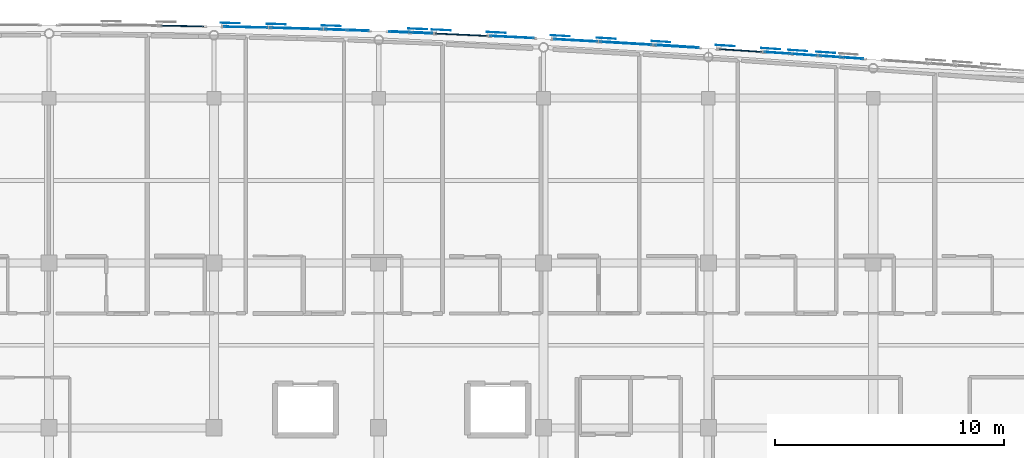
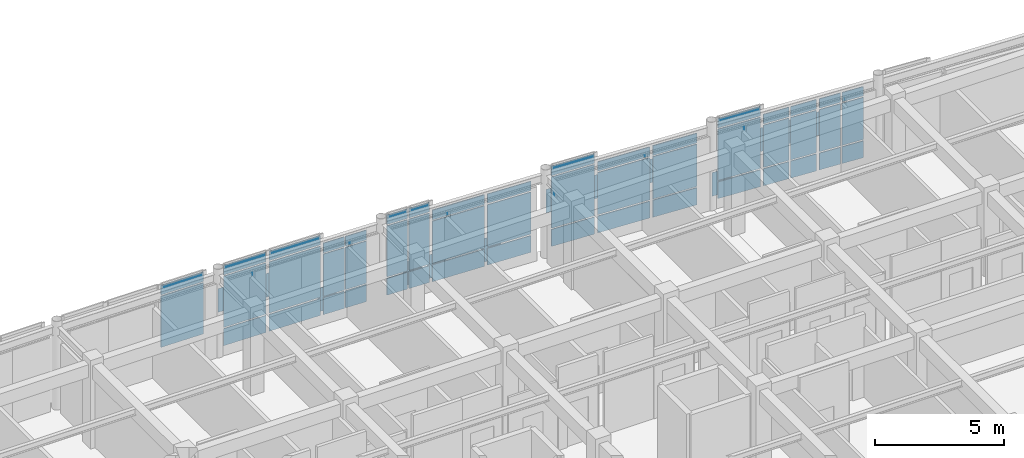
# One storey, part 74 of 113: 63 plates, 13 elements without a shape of their own.
"""IFC4 building model written with IfcOpenShell, lengths in metres."""

import ifcopenshell
import ifcopenshell.guid

model = None  # the IFC model being written
_history = None  # IfcOwnerHistory: only IFC2X3 demands one
_inside = {}  # id of a spatial element -> (the spatial element, [elements in it])
_under = {}  # id of a project, library or spatial element -> (it, [spatial elements below it])
_declared = {}  # id of a project -> (the project, [libraries it declares])
_typed = {}  # id of a type object -> (the type object, [elements of that type])
_made_of = {}  # id of a material, layer set ... -> (it, [elements and type objects made of it])


def new_model(schema):
    """Start an empty IFC model of exactly this schema.

    Asked for "IFC4X3", IfcOpenShell would pick the latest addendum, in which some entities
    have other attributes; the version numbers below select the first issue.
    IFC2X3 requires an IfcOwnerHistory on every rooted entity: one is made here for all.
    """
    global model, _history
    if schema == "IFC4X3":
        model = ifcopenshell.file(schema_version=(4, 3, 0, 0))
    else:
        model = ifcopenshell.file(schema=schema)
    _inside.clear()
    _under.clear()
    _declared.clear()
    _typed.clear()
    _made_of.clear()
    _history = None
    if model.schema == "IFC2X3":
        org = make("IfcOrganization", Name="unknown")
        user = make(
            "IfcPersonAndOrganization",
            ThePerson=make("IfcPerson", FamilyName="unknown"),
            TheOrganization=org,
        )
        app = make(
            "IfcApplication",
            ApplicationDeveloper=org,
            Version="unknown",
            ApplicationFullName="unknown",
            ApplicationIdentifier="unknown",
        )
        _history = make(
            "IfcOwnerHistory",
            OwningUser=user,
            OwningApplication=app,
            ChangeAction="ADDED",
            CreationDate=0,
        )
    return model


def make(cls, **values):
    """One entity of the class cls with the attributes given. An attribute that is None is left unset."""
    return model.create_entity(
        cls, **{name: value for name, value in values.items() if value is not None}
    )


def rooted(cls, **values):
    """An entity with a GlobalId (a new one), such as an element, a storey or a relation."""
    return make(cls, GlobalId=ifcopenshell.guid.new(), OwnerHistory=_history, **values)


def si_unit(unit_type, name, prefix=None):
    """IfcSIUnit, for example si_unit("LENGTHUNIT", "METRE", prefix="MILLI")."""
    return make("IfcSIUnit", UnitType=unit_type, Prefix=prefix, Name=name)


def assignment(units):
    """IfcUnitAssignment: the units of a project."""
    return None if units is None else make("IfcUnitAssignment", Units=units)


def point(xyz):
    """IfcCartesianPoint."""
    return None if xyz is None else make("IfcCartesianPoint", Coordinates=xyz)


def direction(xyz):
    """IfcDirection."""
    return None if xyz is None else make("IfcDirection", DirectionRatios=xyz)


def frame(location, z_axis=None, x_axis=None):
    """IfcAxis2Placement3D, a coordinate frame: its origin and axes. An axis left out is left unset."""
    return make(
        "IfcAxis2Placement3D",
        Location=point(location),
        Axis=direction(z_axis),
        RefDirection=direction(x_axis),
    )


def frame_2d(location, x_axis=None):
    """IfcAxis2Placement2D, a coordinate frame in the plane: its origin and x axis."""
    return make(
        "IfcAxis2Placement2D", Location=point(location), RefDirection=direction(x_axis)
    )


def origin():
    """The frame at (0, 0, 0) with its axes left unset."""
    return frame((0.0, 0.0, 0.0))


def origin_2d():
    """The frame at (0, 0) in the plane with its x axis left unset."""
    return frame_2d((0.0, 0.0))


def place(relative_to, where):
    """IfcLocalPlacement: puts the frame where relative to a parent placement (None: the world)."""
    return make(
        "IfcLocalPlacement", PlacementRelTo=relative_to, RelativePlacement=where
    )


def context(
    kind, dimensions, precision=None, world=None, true_north=None, identifier=None
):
    """IfcGeometricRepresentationContext, for example the 3D "Model" context."""
    return make(
        "IfcGeometricRepresentationContext",
        ContextIdentifier=identifier,
        ContextType=kind,
        CoordinateSpaceDimension=dimensions,
        Precision=precision,
        WorldCoordinateSystem=world,
        TrueNorth=true_north,
    )


def subcontext(parent, identifier, kind, view, scale=None):
    """IfcGeometricRepresentationSubContext, for example "Body" below "Model"."""
    return make(
        "IfcGeometricRepresentationSubContext",
        ContextIdentifier=identifier,
        ContextType=kind,
        ParentContext=parent,
        TargetScale=scale,
        TargetView=view,
    )


def project(units=None, contexts=None):
    """IfcProject with its units and contexts."""
    return rooted(
        "IfcProject",
        Name="project",
        RepresentationContexts=contexts,
        UnitsInContext=assignment(units),
    )


def spatial(cls, under=None, at=None, **own):
    """A site, building, storey or space (cls), placed at a placement, below another one or the project."""
    s = rooted(cls, ObjectPlacement=at, **own)
    if under is not None:
        _under.setdefault(under.id(), (under, []))[1].append(s)
    return s


def profile(cls, at=None, kind="AREA", **sizes):
    """A parametric profile (cls). Its sizes go by their IFC names, for example OverallWidth=200.0."""
    return make(cls, ProfileType=kind, Position=at, **sizes)


def rectangle(**sizes):
    """IfcRectangleProfileDef."""
    return profile("IfcRectangleProfileDef", **sizes)


def extrude(swept, where, along, depth):
    """IfcExtrudedAreaSolid: the profile swept, set in the frame where, extruded along a direction by depth."""
    return make(
        "IfcExtrudedAreaSolid",
        SweptArea=swept,
        Position=where,
        ExtrudedDirection=direction(along),
        Depth=depth,
    )


def shape(context_of_items, identifier, shape_type, items):
    """IfcShapeRepresentation: the items that make up one representation, for example the "Body"."""
    return make(
        "IfcShapeRepresentation",
        ContextOfItems=context_of_items,
        RepresentationIdentifier=identifier,
        RepresentationType=shape_type,
        Items=items,
    )


def material(Name=None, Category=None):
    """IfcMaterial."""
    return make("IfcMaterial", Name=Name, Category=Category)


def layer(
    of_material, thickness, ventilated=None, Name=None, Category=None, Priority=None
):
    """IfcMaterialLayer: one layer of a wall or slab, of a material (None: an air gap)."""
    return make(
        "IfcMaterialLayer",
        Material=of_material,
        LayerThickness=thickness,
        IsVentilated=ventilated,
        Name=Name,
        Category=Category,
        Priority=Priority,
    )


def layer_set(layers, Name=None):
    """IfcMaterialLayerSet."""
    return make("IfcMaterialLayerSet", MaterialLayers=layers, LayerSetName=Name)


def made_of(thing, what):
    """Note that an element or type object is made of a material, layer set ...; save() writes the relation."""
    if what is not None:
        _made_of.setdefault(what.id(), (what, []))[1].append(thing)
    return thing


def type_object(cls, material=None, **own):
    """A type object (cls), such as IfcWallType, which elements share."""
    return made_of(rooted(cls, **own), material)


def element(
    cls,
    number,
    at=None,
    inside=None,
    cuts=None,
    type_object=None,
    material=None,
    context=None,
    identifier="Body",
    shape_type=None,
    held_by="IfcProductDefinitionShape",
    body=None,
    shapes=None,
    **own,
):
    """One element of the class cls, such as IfcWall. Its Tag is "e" and its number.

    at: its placement. inside: the storey or other place that contains it. cuts: it is an
    opening in that element (IfcRelVoidsElement). A single representation is given by context,
    identifier, shape_type and body (its items); several are given by shapes. held_by: the class
    of the entity that holds the representations. save() writes the other relations.
    """
    e = rooted(cls, Tag="e%d" % number, ObjectPlacement=at, **own)
    if body is not None:
        shapes = [shape(context, identifier, shape_type, body)]
    if shapes is not None:
        e.Representation = make(held_by, Representations=shapes)
    if inside is not None:
        _inside.setdefault(inside.id(), (inside, []))[1].append(e)
    if cuts is not None:
        rooted(
            "IfcRelVoidsElement", RelatingBuildingElement=cuts, RelatedOpeningElement=e
        )
    if type_object is not None:
        _typed.setdefault(type_object.id(), (type_object, []))[1].append(e)
    return made_of(e, material)


def aggregate(whole, parts):
    """IfcRelAggregates: a whole, such as a stair, and the parts it consists of."""
    return rooted("IfcRelAggregates", RelatingObject=whole, RelatedObjects=parts)


def save(model, path):
    """Write the relations noted so far, then the file.

    IfcRelAggregates (storeys below a building ...), IfcRelContainedInSpatialStructure (elements
    in a storey), IfcRelDefinesByType, IfcRelAssociatesMaterial and IfcRelDeclares: one each for
    every whole, place, type object, material and project.
    """
    for whole, parts in _under.values():
        aggregate(whole, parts)
    for where, things in _inside.values():
        rooted(
            "IfcRelContainedInSpatialStructure",
            RelatedElements=things,
            RelatingStructure=where,
        )
    for kind, things in _typed.values():
        rooted("IfcRelDefinesByType", RelatedObjects=things, RelatingType=kind)
    for what, things in _made_of.values():
        rooted("IfcRelAssociatesMaterial", RelatedObjects=things, RelatingMaterial=what)
    for by, libraries in _declared.values():
        rooted("IfcRelDeclares", RelatingContext=by, RelatedDefinitions=libraries)
    model.write(path)


model = new_model("IFC4")

# Units and contexts
model_context = context("Model", 3, precision=1e-05, world=origin(), true_north=direction((0.0, 1.0)))
body_context = subcontext(model_context, "Body", "Model", "MODEL_VIEW")
ifc_project = project(units=[si_unit("LENGTHUNIT", "METRE"), si_unit("AREAUNIT", "SQUARE_METRE"), si_unit("VOLUMEUNIT", "CUBIC_METRE"), si_unit("PLANEANGLEUNIT", "RADIAN"), si_unit("MASSUNIT", "GRAM", prefix="KILO")], contexts=[model_context])

# Site, building, storey
site_placement = place(None, origin())
site = spatial("IfcSite", under=ifc_project, at=site_placement, CompositionType="ELEMENT")
building_placement = place(site_placement, origin())
building = spatial("IfcBuilding", under=site, at=building_placement, Name="Carrowvane Square Congress Hotel", CompositionType="ELEMENT")
storey_placement = place(building_placement, frame((0.0, 0.0, 15.0)))
storey = spatial("IfcBuildingStorey", under=building, at=storey_placement, Name="L03", CompositionType="ELEMENT", Elevation=15.0)

# Curtain wall, plates
ifc_material_1 = material(Name="Anodised aluminium", Category="aluminium")
ifc_layer_1 = layer(ifc_material_1, 0.2099609375)
ifc_layer_set_1 = layer_set([ifc_layer_1], Name="Anodised aluminium")
curtain_wall_type_1 = type_object("IfcCurtainWallType", Name="CW-SYS-5", PredefinedType="NOTDEFINED", material=ifc_layer_set_1)
curtain_wall_1_placement = place(storey_placement, origin())
curtain_wall_1 = element("IfcCurtainWall", 1, at=curtain_wall_1_placement, inside=storey, type_object=curtain_wall_type_1, Name="L03 unitised curtain wall 220", PredefinedType="NOTDEFINED")
ifc_material_2 = material(Name="Double-glazed low-E glass", Category="glass")
ifc_layer_2 = layer(ifc_material_2, 0.028076171875)
ifc_layer_set_2 = layer_set([ifc_layer_2], Name="Double-glazed low-E glass")
plate_type_1 = type_object("IfcPlateType", Name="CW-PAN-1", PredefinedType="CURTAIN_PANEL", material=ifc_layer_set_2)
plate_1_placement = place(storey_placement, frame((106.59619140625, 116.498291015625, 0.06005859375), z_axis=(0.0, 0.0, 1.0), x_axis=(0.99974644475, -0.022517686606, 0.0)))
plate_1 = element("IfcPlate", 2, at=plate_1_placement, type_object=plate_type_1, Name="CW-5 panel 1.1", PredefinedType="CURTAIN_PANEL", context=body_context, shape_type="SweptSolid", body=[
    extrude(rectangle(XDim=1.88818359375, YDim=0.028076171875, at=origin_2d()), origin(), (0.0, 0.0, 1.0), 0.81005859375),
])
plate_2_placement = place(storey_placement, frame((106.59619140625, 116.498291015625, 0.93017578125), z_axis=(0.0, 0.0, 1.0), x_axis=(0.99974644475, -0.022517686606, 0.0)))
plate_2 = element("IfcPlate", 3, at=plate_2_placement, type_object=plate_type_1, Name="CW-5 panel 1.2", PredefinedType="CURTAIN_PANEL", context=body_context, shape_type="SweptSolid", body=[
    extrude(rectangle(XDim=1.88818359375, YDim=0.028076171875, at=origin_2d()), origin(), (0.0, 0.0, 1.0), 2.429931640625),
])
plate_3_placement = place(storey_placement, frame((106.59619140625, 116.498291015625, 3.419921875), z_axis=(0.0, 0.0, 1.0), x_axis=(0.99974644475, -0.022517686606, 0.0)))
plate_3 = element("IfcPlate", 4, at=plate_3_placement, type_object=plate_type_1, Name="CW-5 panel 1.3", PredefinedType="CURTAIN_PANEL", context=body_context, shape_type="SweptSolid", body=[
    extrude(rectangle(XDim=1.88818359375, YDim=0.028076171875, at=origin_2d()), origin(), (0.0, 0.0, 1.0), 0.4599609375),
])
aggregate(curtain_wall_1, [plate_1, plate_2, plate_3])

ifc_material_3 = material(Name="Anodised aluminium", Category="aluminium")
ifc_layer_3 = layer(ifc_material_3, 0.174072265625)
ifc_layer_set_3 = layer_set([ifc_layer_3], Name="Anodised aluminium")
curtain_wall_type_2 = type_object("IfcCurtainWallType", Name="CW-SYS-2", PredefinedType="NOTDEFINED", material=ifc_layer_set_3)
curtain_wall_2_placement = place(storey_placement, origin())
curtain_wall_2 = element("IfcCurtainWall", 5, at=curtain_wall_2_placement, inside=storey, type_object=curtain_wall_type_2, Name="L03 unitised curtain wall 225", PredefinedType="NOTDEFINED")
plate_4_placement = place(storey_placement, frame((118.2177734375, 116.067138671875, 0.070068359375), z_axis=(0.0, 0.0, 1.0), x_axis=(0.998732955299, -0.050323791596, 0.0)))
plate_4 = element("IfcPlate", 6, at=plate_4_placement, type_object=plate_type_1, Name="CW-2 panel 1.1", PredefinedType="CURTAIN_PANEL", context=body_context, shape_type="SweptSolid", body=[
    extrude(rectangle(XDim=1.89794921875, YDim=0.028076171875, at=origin_2d()), origin(), (0.0, 0.0, 1.0), 0.794921875),
])
plate_5_placement = place(storey_placement, frame((118.2177734375, 116.067138671875, 0.93505859375), z_axis=(0.0, 0.0, 1.0), x_axis=(0.998732955299, -0.050323791596, 0.0)))
plate_5 = element("IfcPlate", 7, at=plate_5_placement, type_object=plate_type_1, Name="CW-2 panel 1.2", PredefinedType="CURTAIN_PANEL", context=body_context, shape_type="SweptSolid", body=[
    extrude(rectangle(XDim=1.89794921875, YDim=0.028076171875, at=origin_2d()), origin(), (0.0, 0.0, 1.0), 1.99560546875),
])
plate_6_placement = place(storey_placement, frame((118.2177734375, 116.067138671875, 3.00048828125), z_axis=(0.0, 0.0, 1.0), x_axis=(0.998732955299, -0.050323791596, 0.0)))
plate_6 = element("IfcPlate", 8, at=plate_6_placement, type_object=plate_type_1, Name="CW-2 panel 1.3", PredefinedType="CURTAIN_PANEL", context=body_context, shape_type="SweptSolid", body=[
    extrude(rectangle(XDim=1.89794921875, YDim=0.028076171875, at=origin_2d()), origin(), (0.0, 0.0, 1.0), 0.445068359375),
])
aggregate(curtain_wall_2, [plate_4, plate_5, plate_6])

ifc_material_4 = material(Name="Anodised aluminium", Category="aluminium")
ifc_layer_4 = layer(ifc_material_4, 0.23388671875)
ifc_layer_set_4 = layer_set([ifc_layer_4], Name="Anodised aluminium")
curtain_wall_type_3 = type_object("IfcCurtainWallType", Name="CW-SYS-7", PredefinedType="NOTDEFINED", material=ifc_layer_set_4)
curtain_wall_3_placement = place(storey_placement, origin())
curtain_wall_3 = element("IfcCurtainWall", 9, at=curtain_wall_3_placement, inside=storey, type_object=curtain_wall_type_3, Name="L03 unitised curtain wall 230", PredefinedType="NOTDEFINED")
plate_7_placement = place(storey_placement, frame((129.81494140625, 115.375244140625, 0.06005859375), z_axis=(0.0, 0.0, 1.0), x_axis=(0.99769420292, -0.067869562107, 0.0)))
plate_7 = element("IfcPlate", 10, at=plate_7_placement, type_object=plate_type_1, Name="CW-7 panel 1.1", PredefinedType="CURTAIN_PANEL", context=body_context, shape_type="SweptSolid", body=[
    extrude(rectangle(XDim=1.11279296875, YDim=0.028076171875, at=origin_2d()), origin(), (0.0, 0.0, 1.0), 0.81005859375),
])
plate_8_placement = place(storey_placement, frame((129.81494140625, 115.375244140625, 0.93017578125), z_axis=(0.0, 0.0, 1.0), x_axis=(0.99769420292, -0.067869562107, 0.0)))
plate_8 = element("IfcPlate", 11, at=plate_8_placement, type_object=plate_type_1, Name="CW-7 panel 1.2", PredefinedType="CURTAIN_PANEL", context=body_context, shape_type="SweptSolid", body=[
    extrude(rectangle(XDim=1.11279296875, YDim=0.028076171875, at=origin_2d()), origin(), (0.0, 0.0, 1.0), 2.005615234375),
])
plate_9_placement = place(storey_placement, frame((129.81494140625, 115.375244140625, 2.99560546875), z_axis=(0.0, 0.0, 1.0), x_axis=(0.99769420292, -0.067869562107, 0.0)))
plate_9 = element("IfcPlate", 12, at=plate_9_placement, type_object=plate_type_1, Name="CW-7 panel 1.3", PredefinedType="CURTAIN_PANEL", context=body_context, shape_type="SweptSolid", body=[
    extrude(rectangle(XDim=1.11279296875, YDim=0.028076171875, at=origin_2d()), origin(), (0.0, 0.0, 1.0), 0.4599609375),
])
plate_10_placement = place(storey_placement, frame((130.985107421875, 115.295654296875, 0.06005859375), z_axis=(0.0, 0.0, 1.0), x_axis=(0.99769420292, -0.067869562107, 0.0)))
plate_10 = element("IfcPlate", 13, at=plate_10_placement, type_object=plate_type_1, Name="CW-7 panel 2.1", PredefinedType="CURTAIN_PANEL", context=body_context, shape_type="SweptSolid", body=[
    extrude(rectangle(XDim=1.11279296875, YDim=0.028076171875, at=origin_2d()), origin(), (0.0, 0.0, 1.0), 0.81005859375),
])
plate_11_placement = place(storey_placement, frame((130.985107421875, 115.295654296875, 0.93017578125), z_axis=(0.0, 0.0, 1.0), x_axis=(0.99769420292, -0.067869562107, 0.0)))
plate_11 = element("IfcPlate", 14, at=plate_11_placement, type_object=plate_type_1, Name="CW-7 panel 2.2", PredefinedType="CURTAIN_PANEL", context=body_context, shape_type="SweptSolid", body=[
    extrude(rectangle(XDim=1.11279296875, YDim=0.028076171875, at=origin_2d()), origin(), (0.0, 0.0, 1.0), 2.005615234375),
])
plate_12_placement = place(storey_placement, frame((130.985107421875, 115.295654296875, 2.99560546875), z_axis=(0.0, 0.0, 1.0), x_axis=(0.99769420292, -0.067869562107, 0.0)))
plate_12 = element("IfcPlate", 15, at=plate_12_placement, type_object=plate_type_1, Name="CW-7 panel 2.3", PredefinedType="CURTAIN_PANEL", context=body_context, shape_type="SweptSolid", body=[
    extrude(rectangle(XDim=1.11279296875, YDim=0.028076171875, at=origin_2d()), origin(), (0.0, 0.0, 1.0), 0.4599609375),
])
aggregate(curtain_wall_3, [plate_7, plate_8, plate_9, plate_10, plate_11, plate_12])

ifc_material_5 = material(Name="Anodised aluminium", Category="aluminium")
ifc_layer_5 = layer(ifc_material_5, 0.221923828125)
ifc_layer_set_5 = layer_set([ifc_layer_5], Name="Anodised aluminium")
curtain_wall_type_4 = type_object("IfcCurtainWallType", Name="CW-SYS-6", PredefinedType="NOTDEFINED", material=ifc_layer_set_5)
curtain_wall_4_placement = place(storey_placement, origin())
curtain_wall_4 = element("IfcCurtainWall", 16, at=curtain_wall_4_placement, inside=storey, type_object=curtain_wall_type_4, Name="L03 unitised curtain wall 221", PredefinedType="NOTDEFINED")
ifc_material_6 = material(Name="Double-glazed low-E glass", Category="glass")
ifc_layer_6 = layer(ifc_material_6, 0.031982421875)
ifc_layer_set_6 = layer_set([ifc_layer_6], Name="Double-glazed low-E glass")
plate_type_2 = type_object("IfcPlateType", Name="CW-PAN-2", PredefinedType="CURTAIN_PANEL", material=ifc_layer_set_6)
plate_13_placement = place(storey_placement, frame((108.800048828125, 116.44140625, 0.070068359375), z_axis=(0.0, 0.0, 1.0), x_axis=(0.999589848065, -0.028638010501, 0.0)))
plate_13 = element("IfcPlate", 17, at=plate_13_placement, type_object=plate_type_2, Name="CW-6 panel 1.1", PredefinedType="CURTAIN_PANEL", context=body_context, shape_type="SweptSolid", body=[
    extrude(rectangle(XDim=2.260986328125, YDim=0.031982421875, at=origin_2d()), origin(), (0.0, 0.0, 1.0), 0.794921875),
])
plate_14_placement = place(storey_placement, frame((108.800048828125, 116.44140625, 0.93505859375), z_axis=(0.0, 0.0, 1.0), x_axis=(0.999589848065, -0.028638010501, 0.0)))
plate_14 = element("IfcPlate", 18, at=plate_14_placement, type_object=plate_type_2, Name="CW-6 panel 1.2", PredefinedType="CURTAIN_PANEL", context=body_context, shape_type="SweptSolid", body=[
    extrude(rectangle(XDim=2.260986328125, YDim=0.031982421875, at=origin_2d()), origin(), (0.0, 0.0, 1.0), 2.419921875),
])
plate_15_placement = place(storey_placement, frame((108.800048828125, 116.44140625, 3.4248046875), z_axis=(0.0, 0.0, 1.0), x_axis=(0.999589848065, -0.028638010501, 0.0)))
plate_15 = element("IfcPlate", 19, at=plate_15_placement, type_object=plate_type_2, Name="CW-6 panel 1.3", PredefinedType="CURTAIN_PANEL", context=body_context, shape_type="SweptSolid", body=[
    extrude(rectangle(XDim=2.260986328125, YDim=0.031982421875, at=origin_2d()), origin(), (0.0, 0.0, 1.0), 0.445068359375),
])
aggregate(curtain_wall_4, [plate_13, plate_14, plate_15])

ifc_material_7 = material(Name="Anodised aluminium", Category="aluminium")
ifc_layer_7 = layer(ifc_material_7, 0.18603515625)
ifc_layer_set_7 = layer_set([ifc_layer_7], Name="Anodised aluminium")
curtain_wall_type_5 = type_object("IfcCurtainWallType", Name="CW-SYS-3", PredefinedType="NOTDEFINED", material=ifc_layer_set_7)
curtain_wall_5_placement = place(storey_placement, origin())
curtain_wall_5 = element("IfcCurtainWall", 20, at=curtain_wall_5_placement, inside=storey, type_object=curtain_wall_type_5, Name="L03 unitised curtain wall 226", PredefinedType="NOTDEFINED")
plate_16_placement = place(storey_placement, frame((121.002197265625, 115.920654296875, 0.06005859375), z_axis=(0.0, 0.0, 1.0), x_axis=(0.998496473856, -0.054815980317, 0.0)))
plate_16 = element("IfcPlate", 21, at=plate_16_placement, type_object=plate_type_2, Name="CW-3 panel 1.1", PredefinedType="CURTAIN_PANEL", context=body_context, shape_type="SweptSolid", body=[
    extrude(rectangle(XDim=1.87841796875, YDim=0.031982421875, at=origin_2d()), origin(), (0.0, 0.0, 1.0), 0.81005859375),
])
plate_17_placement = place(storey_placement, frame((121.002197265625, 115.920654296875, 0.93017578125), z_axis=(0.0, 0.0, 1.0), x_axis=(0.998496473856, -0.054815980317, 0.0)))
plate_17 = element("IfcPlate", 22, at=plate_17_placement, type_object=plate_type_2, Name="CW-3 panel 1.2", PredefinedType="CURTAIN_PANEL", context=body_context, shape_type="SweptSolid", body=[
    extrude(rectangle(XDim=1.87841796875, YDim=0.031982421875, at=origin_2d()), origin(), (0.0, 0.0, 1.0), 2.429931640625),
])
plate_18_placement = place(storey_placement, frame((121.002197265625, 115.920654296875, 3.419921875), z_axis=(0.0, 0.0, 1.0), x_axis=(0.998496473856, -0.054815980317, 0.0)))
plate_18 = element("IfcPlate", 23, at=plate_18_placement, type_object=plate_type_2, Name="CW-3 panel 1.3", PredefinedType="CURTAIN_PANEL", context=body_context, shape_type="SweptSolid", body=[
    extrude(rectangle(XDim=1.87841796875, YDim=0.031982421875, at=origin_2d()), origin(), (0.0, 0.0, 1.0), 0.4599609375),
])
aggregate(curtain_wall_5, [plate_16, plate_17, plate_18])

ifc_material_8 = material(Name="Anodised aluminium", Category="aluminium")
ifc_layer_8 = layer(ifc_material_8, 0.24609375)
ifc_layer_set_8 = layer_set([ifc_layer_8], Name="Anodised aluminium")
curtain_wall_type_6 = type_object("IfcCurtainWallType", Name="CW-SYS-8", PredefinedType="NOTDEFINED", material=ifc_layer_set_8)
curtain_wall_6_placement = place(storey_placement, origin())
curtain_wall_6 = element("IfcCurtainWall", 24, at=curtain_wall_6_placement, inside=storey, type_object=curtain_wall_type_6, Name="L03 unitised curtain wall 231", PredefinedType="NOTDEFINED")
plate_19_placement = place(storey_placement, frame((132.128173828125, 115.216796875, 0.070068359375), z_axis=(0.0, 0.0, 1.0), x_axis=(0.997566119277, -0.069726879118, 0.0)))
plate_19 = element("IfcPlate", 25, at=plate_19_placement, type_object=plate_type_2, Name="CW-8 panel 1.1", PredefinedType="CURTAIN_PANEL", context=body_context, shape_type="SweptSolid", body=[
    extrude(rectangle(XDim=0.9189453125, YDim=0.031982421875, at=origin_2d()), origin(), (0.0, 0.0, 1.0), 0.794921875),
])
plate_20_placement = place(storey_placement, frame((132.128173828125, 115.216796875, 0.93505859375), z_axis=(0.0, 0.0, 1.0), x_axis=(0.997566119277, -0.069726879118, 0.0)))
plate_20 = element("IfcPlate", 26, at=plate_20_placement, type_object=plate_type_2, Name="CW-8 panel 1.2", PredefinedType="CURTAIN_PANEL", context=body_context, shape_type="SweptSolid", body=[
    extrude(rectangle(XDim=0.9189453125, YDim=0.031982421875, at=origin_2d()), origin(), (0.0, 0.0, 1.0), 1.99560546875),
])
plate_21_placement = place(storey_placement, frame((132.128173828125, 115.216796875, 3.00048828125), z_axis=(0.0, 0.0, 1.0), x_axis=(0.997566119277, -0.069726879118, 0.0)))
plate_21 = element("IfcPlate", 27, at=plate_21_placement, type_object=plate_type_2, Name="CW-8 panel 1.3", PredefinedType="CURTAIN_PANEL", context=body_context, shape_type="SweptSolid", body=[
    extrude(rectangle(XDim=0.9189453125, YDim=0.031982421875, at=origin_2d()), origin(), (0.0, 0.0, 1.0), 0.445068359375),
])
plate_22_placement = place(storey_placement, frame((133.114501953125, 115.14794921875, 0.070068359375), z_axis=(0.0, 0.0, 1.0), x_axis=(0.997566119277, -0.069726879118, 0.0)))
plate_22 = element("IfcPlate", 28, at=plate_22_placement, type_object=plate_type_2, Name="CW-8 panel 2.1", PredefinedType="CURTAIN_PANEL", context=body_context, shape_type="SweptSolid", body=[
    extrude(rectangle(XDim=0.9189453125, YDim=0.031982421875, at=origin_2d()), origin(), (0.0, 0.0, 1.0), 0.794921875),
])
plate_23_placement = place(storey_placement, frame((133.114501953125, 115.14794921875, 0.93505859375), z_axis=(0.0, 0.0, 1.0), x_axis=(0.997566119277, -0.069726879118, 0.0)))
plate_23 = element("IfcPlate", 29, at=plate_23_placement, type_object=plate_type_2, Name="CW-8 panel 2.2", PredefinedType="CURTAIN_PANEL", context=body_context, shape_type="SweptSolid", body=[
    extrude(rectangle(XDim=0.9189453125, YDim=0.031982421875, at=origin_2d()), origin(), (0.0, 0.0, 1.0), 1.99560546875),
])
plate_24_placement = place(storey_placement, frame((133.114501953125, 115.14794921875, 3.00048828125), z_axis=(0.0, 0.0, 1.0), x_axis=(0.997566119277, -0.069726879118, 0.0)))
plate_24 = element("IfcPlate", 30, at=plate_24_placement, type_object=plate_type_2, Name="CW-8 panel 2.3", PredefinedType="CURTAIN_PANEL", context=body_context, shape_type="SweptSolid", body=[
    extrude(rectangle(XDim=0.9189453125, YDim=0.031982421875, at=origin_2d()), origin(), (0.0, 0.0, 1.0), 0.445068359375),
])
aggregate(curtain_wall_6, [plate_19, plate_20, plate_21, plate_22, plate_23, plate_24])

curtain_wall_7_placement = place(storey_placement, origin())
curtain_wall_7 = element("IfcCurtainWall", 31, at=curtain_wall_7_placement, inside=storey, type_object=curtain_wall_type_3, Name="L03 unitised curtain wall 222", PredefinedType="NOTDEFINED")
ifc_material_9 = material(Name="Double-glazed low-E glass", Category="glass")
ifc_layer_9 = layer(ifc_material_9, 0.035888671875)
ifc_layer_set_9 = layer_set([ifc_layer_9], Name="Double-glazed low-E glass")
plate_type_3 = type_object("IfcPlateType", Name="CW-PAN-3", PredefinedType="CURTAIN_PANEL", material=ifc_layer_set_9)
plate_25_placement = place(storey_placement, frame((110.5224609375, 116.388916015625, 0.06005859375), z_axis=(0.0, 0.0, 1.0), x_axis=(0.999403663525, -0.034529948347, 0.0)))
plate_25 = element("IfcPlate", 32, at=plate_25_placement, type_object=plate_type_3, Name="CW-7 panel 1.1", PredefinedType="CURTAIN_PANEL", context=body_context, shape_type="SweptSolid", body=[
    extrude(rectangle(XDim=0.92529296875, YDim=0.035888671875, at=origin_2d()), origin(), (0.0, 0.0, 1.0), 0.81005859375),
])
plate_26_placement = place(storey_placement, frame((110.5224609375, 116.388916015625, 0.93017578125), z_axis=(0.0, 0.0, 1.0), x_axis=(0.999403663525, -0.034529948347, 0.0)))
plate_26 = element("IfcPlate", 33, at=plate_26_placement, type_object=plate_type_3, Name="CW-7 panel 1.2", PredefinedType="CURTAIN_PANEL", context=body_context, shape_type="SweptSolid", body=[
    extrude(rectangle(XDim=0.92529296875, YDim=0.035888671875, at=origin_2d()), origin(), (0.0, 0.0, 1.0), 2.005615234375),
])
plate_27_placement = place(storey_placement, frame((110.5224609375, 116.388916015625, 2.99560546875), z_axis=(0.0, 0.0, 1.0), x_axis=(0.999403663525, -0.034529948347, 0.0)))
plate_27 = element("IfcPlate", 34, at=plate_27_placement, type_object=plate_type_3, Name="CW-7 panel 1.3", PredefinedType="CURTAIN_PANEL", context=body_context, shape_type="SweptSolid", body=[
    extrude(rectangle(XDim=0.92529296875, YDim=0.035888671875, at=origin_2d()), origin(), (0.0, 0.0, 1.0), 0.4599609375),
])
plate_28_placement = place(storey_placement, frame((111.507080078125, 116.354736328125, 0.06005859375), z_axis=(0.0, 0.0, 1.0), x_axis=(0.999403663525, -0.034529948347, 0.0)))
plate_28 = element("IfcPlate", 35, at=plate_28_placement, type_object=plate_type_3, Name="CW-7 panel 2.1", PredefinedType="CURTAIN_PANEL", context=body_context, shape_type="SweptSolid", body=[
    extrude(rectangle(XDim=0.92529296875, YDim=0.035888671875, at=origin_2d()), origin(), (0.0, 0.0, 1.0), 0.81005859375),
])
plate_29_placement = place(storey_placement, frame((111.507080078125, 116.354736328125, 0.93017578125), z_axis=(0.0, 0.0, 1.0), x_axis=(0.999403663525, -0.034529948347, 0.0)))
plate_29 = element("IfcPlate", 36, at=plate_29_placement, type_object=plate_type_3, Name="CW-7 panel 2.2", PredefinedType="CURTAIN_PANEL", context=body_context, shape_type="SweptSolid", body=[
    extrude(rectangle(XDim=0.92529296875, YDim=0.035888671875, at=origin_2d()), origin(), (0.0, 0.0, 1.0), 2.005615234375),
])
plate_30_placement = place(storey_placement, frame((111.507080078125, 116.354736328125, 2.99560546875), z_axis=(0.0, 0.0, 1.0), x_axis=(0.999403663525, -0.034529948347, 0.0)))
plate_30 = element("IfcPlate", 37, at=plate_30_placement, type_object=plate_type_3, Name="CW-7 panel 2.3", PredefinedType="CURTAIN_PANEL", context=body_context, shape_type="SweptSolid", body=[
    extrude(rectangle(XDim=0.92529296875, YDim=0.035888671875, at=origin_2d()), origin(), (0.0, 0.0, 1.0), 0.4599609375),
])
aggregate(curtain_wall_7, [plate_25, plate_26, plate_27, plate_28, plate_29, plate_30])

ifc_material_10 = material(Name="Anodised aluminium", Category="aluminium")
ifc_layer_10 = layer(ifc_material_10, 0.197998046875)
ifc_layer_set_10 = layer_set([ifc_layer_10], Name="Anodised aluminium")
curtain_wall_type_7 = type_object("IfcCurtainWallType", Name="CW-SYS-4", PredefinedType="NOTDEFINED", material=ifc_layer_set_10)
curtain_wall_8_placement = place(storey_placement, origin())
curtain_wall_8 = element("IfcCurtainWall", 38, at=curtain_wall_8_placement, inside=storey, type_object=curtain_wall_type_7, Name="L03 unitised curtain wall 227", PredefinedType="NOTDEFINED")
plate_31_placement = place(storey_placement, frame((123.199951171875, 115.795166015625, 0.070068359375), z_axis=(0.0, 0.0, 1.0), x_axis=(0.998266763162, -0.058851249486, 0.0)))
plate_31 = element("IfcPlate", 39, at=plate_31_placement, type_object=plate_type_3, Name="CW-4 panel 1.1", PredefinedType="CURTAIN_PANEL", context=body_context, shape_type="SweptSolid", body=[
    extrude(rectangle(XDim=2.26416015625, YDim=0.035888671875, at=origin_2d()), origin(), (0.0, 0.0, 1.0), 0.794921875),
])
plate_32_placement = place(storey_placement, frame((123.199951171875, 115.795166015625, 0.93505859375), z_axis=(0.0, 0.0, 1.0), x_axis=(0.998266763162, -0.058851249486, 0.0)))
plate_32 = element("IfcPlate", 40, at=plate_32_placement, type_object=plate_type_3, Name="CW-4 panel 1.2", PredefinedType="CURTAIN_PANEL", context=body_context, shape_type="SweptSolid", body=[
    extrude(rectangle(XDim=2.26416015625, YDim=0.035888671875, at=origin_2d()), origin(), (0.0, 0.0, 1.0), 1.99560546875),
])
plate_33_placement = place(storey_placement, frame((123.199951171875, 115.795166015625, 3.00048828125), z_axis=(0.0, 0.0, 1.0), x_axis=(0.998266763162, -0.058851249486, 0.0)))
plate_33 = element("IfcPlate", 41, at=plate_33_placement, type_object=plate_type_3, Name="CW-4 panel 1.3", PredefinedType="CURTAIN_PANEL", context=body_context, shape_type="SweptSolid", body=[
    extrude(rectangle(XDim=2.26416015625, YDim=0.035888671875, at=origin_2d()), origin(), (0.0, 0.0, 1.0), 0.445068359375),
])
aggregate(curtain_wall_8, [plate_31, plate_32, plate_33])

curtain_wall_9_placement = place(storey_placement, origin())
curtain_wall_9 = element("IfcCurtainWall", 42, at=curtain_wall_9_placement, inside=storey, type_object=curtain_wall_type_6, Name="L03 unitised curtain wall 223", PredefinedType="NOTDEFINED")
ifc_material_11 = material(Name="Double-glazed low-E glass", Category="glass")
ifc_layer_11 = layer(ifc_material_11, 0.0419921875)
ifc_layer_set_11 = layer_set([ifc_layer_11], Name="Double-glazed low-E glass")
plate_type_4 = type_object("IfcPlateType", Name="CW-PAN-4", PredefinedType="CURTAIN_PANEL", material=ifc_layer_set_11)
plate_34_placement = place(storey_placement, frame((113.316650390625, 116.287109375, 0.070068359375), z_axis=(0.0, 0.0, 1.0), x_axis=(0.999194428656, -0.040130957403, 0.0)))
plate_34 = element("IfcPlate", 43, at=plate_34_placement, type_object=plate_type_4, Name="CW-8 panel 1.1", PredefinedType="CURTAIN_PANEL", context=body_context, shape_type="SweptSolid", body=[
    extrude(rectangle(XDim=0.896240234375, YDim=0.0419921875, at=origin_2d()), origin(), (0.0, 0.0, 1.0), 0.794921875),
])
plate_35_placement = place(storey_placement, frame((113.316650390625, 116.287109375, 0.93505859375), z_axis=(0.0, 0.0, 1.0), x_axis=(0.999194428656, -0.040130957403, 0.0)))
plate_35 = element("IfcPlate", 44, at=plate_35_placement, type_object=plate_type_4, Name="CW-8 panel 1.2", PredefinedType="CURTAIN_PANEL", context=body_context, shape_type="SweptSolid", body=[
    extrude(rectangle(XDim=0.896240234375, YDim=0.0419921875, at=origin_2d()), origin(), (0.0, 0.0, 1.0), 2.419921875),
])
plate_36_placement = place(storey_placement, frame((113.316650390625, 116.287109375, 3.4248046875), z_axis=(0.0, 0.0, 1.0), x_axis=(0.999194428656, -0.040130957403, 0.0)))
plate_36 = element("IfcPlate", 45, at=plate_36_placement, type_object=plate_type_4, Name="CW-8 panel 1.3", PredefinedType="CURTAIN_PANEL", context=body_context, shape_type="SweptSolid", body=[
    extrude(rectangle(XDim=0.896240234375, YDim=0.0419921875, at=origin_2d()), origin(), (0.0, 0.0, 1.0), 0.445068359375),
])
plate_37_placement = place(storey_placement, frame((114.2822265625, 116.24853515625, 0.070068359375), z_axis=(0.0, 0.0, 1.0), x_axis=(0.999194428656, -0.040130957403, 0.0)))
plate_37 = element("IfcPlate", 46, at=plate_37_placement, type_object=plate_type_4, Name="CW-8 panel 2.1", PredefinedType="CURTAIN_PANEL", context=body_context, shape_type="SweptSolid", body=[
    extrude(rectangle(XDim=0.896240234375, YDim=0.0419921875, at=origin_2d()), origin(), (0.0, 0.0, 1.0), 0.794921875),
])
plate_38_placement = place(storey_placement, frame((114.2822265625, 116.24853515625, 0.93505859375), z_axis=(0.0, 0.0, 1.0), x_axis=(0.999194428656, -0.040130957403, 0.0)))
plate_38 = element("IfcPlate", 47, at=plate_38_placement, type_object=plate_type_4, Name="CW-8 panel 2.2", PredefinedType="CURTAIN_PANEL", context=body_context, shape_type="SweptSolid", body=[
    extrude(rectangle(XDim=0.896240234375, YDim=0.0419921875, at=origin_2d()), origin(), (0.0, 0.0, 1.0), 2.419921875),
])
plate_39_placement = place(storey_placement, frame((114.2822265625, 116.24853515625, 3.4248046875), z_axis=(0.0, 0.0, 1.0), x_axis=(0.999194428656, -0.040130957403, 0.0)))
plate_39 = element("IfcPlate", 48, at=plate_39_placement, type_object=plate_type_4, Name="CW-8 panel 2.3", PredefinedType="CURTAIN_PANEL", context=body_context, shape_type="SweptSolid", body=[
    extrude(rectangle(XDim=0.896240234375, YDim=0.0419921875, at=origin_2d()), origin(), (0.0, 0.0, 1.0), 0.445068359375),
])
aggregate(curtain_wall_9, [plate_34, plate_35, plate_36, plate_37, plate_38, plate_39])

curtain_wall_10_placement = place(storey_placement, origin())
curtain_wall_10 = element("IfcCurtainWall", 49, at=curtain_wall_10_placement, inside=storey, type_object=curtain_wall_type_1, Name="L03 unitised curtain wall 228", PredefinedType="NOTDEFINED")
plate_40_placement = place(storey_placement, frame((125.419921875, 115.66064453125, 0.06005859375), z_axis=(0.0, 0.0, 1.0), x_axis=(0.998051398046, -0.062397170272, 0.0)))
plate_40 = element("IfcPlate", 50, at=plate_40_placement, type_object=plate_type_4, Name="CW-5 panel 1.1", PredefinedType="CURTAIN_PANEL", context=body_context, shape_type="SweptSolid", body=[
    extrude(rectangle(XDim=1.924072265625, YDim=0.0419921875, at=origin_2d()), origin(), (0.0, 0.0, 1.0), 0.81005859375),
])
plate_41_placement = place(storey_placement, frame((125.419921875, 115.66064453125, 0.93017578125), z_axis=(0.0, 0.0, 1.0), x_axis=(0.998051398046, -0.062397170272, 0.0)))
plate_41 = element("IfcPlate", 51, at=plate_41_placement, type_object=plate_type_4, Name="CW-5 panel 1.2", PredefinedType="CURTAIN_PANEL", context=body_context, shape_type="SweptSolid", body=[
    extrude(rectangle(XDim=1.924072265625, YDim=0.0419921875, at=origin_2d()), origin(), (0.0, 0.0, 1.0), 2.005615234375),
])
plate_42_placement = place(storey_placement, frame((125.419921875, 115.66064453125, 2.99560546875), z_axis=(0.0, 0.0, 1.0), x_axis=(0.998051398046, -0.062397170272, 0.0)))
plate_42 = element("IfcPlate", 52, at=plate_42_placement, type_object=plate_type_4, Name="CW-5 panel 1.3", PredefinedType="CURTAIN_PANEL", context=body_context, shape_type="SweptSolid", body=[
    extrude(rectangle(XDim=1.924072265625, YDim=0.0419921875, at=origin_2d()), origin(), (0.0, 0.0, 1.0), 0.4599609375),
])
aggregate(curtain_wall_10, [plate_40, plate_41, plate_42])

curtain_wall_11_placement = place(storey_placement, origin())
curtain_wall_11 = element("IfcCurtainWall", 53, at=curtain_wall_11_placement, inside=storey, type_object=curtain_wall_type_7, Name="L03 unitised curtain wall 219", PredefinedType="NOTDEFINED")
ifc_material_12 = material(Name="Double-glazed low-E glass", Category="glass")
ifc_layer_12 = layer(ifc_material_12, 0.048095703125)
ifc_layer_set_12 = layer_set([ifc_layer_12], Name="Double-glazed low-E glass")
plate_type_5 = type_object("IfcPlateType", Name="CW-PAN-5", PredefinedType="CURTAIN_PANEL", material=ifc_layer_set_12)
plate_43_placement = place(storey_placement, frame((103.811279296875, 116.55224609375, 0.93505859375), z_axis=(0.0, 0.0, 1.0), x_axis=(0.99986851233, -0.016215981364, 0.0)))
plate_43 = element("IfcPlate", 54, at=plate_43_placement, type_object=plate_type_5, Name="CW-4 panel 1.2", PredefinedType="CURTAIN_PANEL", context=body_context, shape_type="SweptSolid", body=[
    extrude(rectangle(XDim=1.8828125, YDim=0.048095703125, at=origin_2d()), origin(), (0.0, 0.0, 1.0), 2.419921875),
])
plate_44_placement = place(storey_placement, frame((103.811279296875, 116.55224609375, 3.4248046875), z_axis=(0.0, 0.0, 1.0), x_axis=(0.99986851233, -0.016215981364, 0.0)))
plate_44 = element("IfcPlate", 55, at=plate_44_placement, type_object=plate_type_5, Name="CW-4 panel 1.3", PredefinedType="CURTAIN_PANEL", context=body_context, shape_type="SweptSolid", body=[
    extrude(rectangle(XDim=1.8828125, YDim=0.048095703125, at=origin_2d()), origin(), (0.0, 0.0, 1.0), 0.445068359375),
])
aggregate(curtain_wall_11, [plate_43, plate_44])

ifc_material_13 = material(Name="Anodised aluminium", Category="aluminium")
ifc_layer_13 = layer(ifc_material_13, 0.162109375)
ifc_layer_set_13 = layer_set([ifc_layer_13], Name="Anodised aluminium")
curtain_wall_type_8 = type_object("IfcCurtainWallType", Name="CW-SYS-1", PredefinedType="NOTDEFINED", material=ifc_layer_set_13)
curtain_wall_12_placement = place(storey_placement, origin())
curtain_wall_12 = element("IfcCurtainWall", 56, at=curtain_wall_12_placement, inside=storey, type_object=curtain_wall_type_8, Name="L03 unitised curtain wall 224", PredefinedType="NOTDEFINED")
plate_45_placement = place(storey_placement, frame((116.0, 116.173095703125, 0.06005859375), z_axis=(0.0, 0.0, 1.0), x_axis=(0.998968385726, -0.045411059449, 0.0)))
plate_45 = element("IfcPlate", 57, at=plate_45_placement, type_object=plate_type_5, Name="CW-1 panel 1.1", PredefinedType="CURTAIN_PANEL", context=body_context, shape_type="SweptSolid", body=[
    extrude(rectangle(XDim=2.282470703125, YDim=0.048095703125, at=origin_2d()), origin(), (0.0, 0.0, 1.0), 0.81005859375),
])
plate_46_placement = place(storey_placement, frame((116.0, 116.173095703125, 0.93017578125), z_axis=(0.0, 0.0, 1.0), x_axis=(0.998968385726, -0.045411059449, 0.0)))
plate_46 = element("IfcPlate", 58, at=plate_46_placement, type_object=plate_type_5, Name="CW-1 panel 1.2", PredefinedType="CURTAIN_PANEL", context=body_context, shape_type="SweptSolid", body=[
    extrude(rectangle(XDim=2.282470703125, YDim=0.048095703125, at=origin_2d()), origin(), (0.0, 0.0, 1.0), 2.005615234375),
])
plate_47_placement = place(storey_placement, frame((116.0, 116.173095703125, 2.99560546875), z_axis=(0.0, 0.0, 1.0), x_axis=(0.998968385726, -0.045411059449, 0.0)))
plate_47 = element("IfcPlate", 59, at=plate_47_placement, type_object=plate_type_5, Name="CW-1 panel 1.3", PredefinedType="CURTAIN_PANEL", context=body_context, shape_type="SweptSolid", body=[
    extrude(rectangle(XDim=2.282470703125, YDim=0.048095703125, at=origin_2d()), origin(), (0.0, 0.0, 1.0), 0.4599609375),
])
aggregate(curtain_wall_12, [plate_45, plate_46, plate_47])

curtain_wall_13_placement = place(storey_placement, origin())
curtain_wall_13 = element("IfcCurtainWall", 60, at=curtain_wall_13_placement, inside=storey, type_object=curtain_wall_type_4, Name="L03 unitised curtain wall 229", PredefinedType="NOTDEFINED")
plate_48_placement = place(storey_placement, frame((128.204345703125, 115.482177734375, 0.070068359375), z_axis=(0.0, 0.0, 1.0), x_axis=(0.9978582145, -0.065413941589, 0.0)))
plate_48 = element("IfcPlate", 61, at=plate_48_placement, type_object=plate_type_5, Name="CW-6 panel 1.1", PredefinedType="CURTAIN_PANEL", context=body_context, shape_type="SweptSolid", body=[
    extrude(rectangle(XDim=1.85595703125, YDim=0.048095703125, at=origin_2d()), origin(), (0.0, 0.0, 1.0), 0.794921875),
])
plate_49_placement = place(storey_placement, frame((128.204345703125, 115.482177734375, 0.93505859375), z_axis=(0.0, 0.0, 1.0), x_axis=(0.9978582145, -0.065413941589, 0.0)))
plate_49 = element("IfcPlate", 62, at=plate_49_placement, type_object=plate_type_5, Name="CW-6 panel 1.2", PredefinedType="CURTAIN_PANEL", context=body_context, shape_type="SweptSolid", body=[
    extrude(rectangle(XDim=1.85595703125, YDim=0.048095703125, at=origin_2d()), origin(), (0.0, 0.0, 1.0), 2.419921875),
])
plate_50_placement = place(storey_placement, frame((128.204345703125, 115.482177734375, 3.4248046875), z_axis=(0.0, 0.0, 1.0), x_axis=(0.9978582145, -0.065413941589, 0.0)))
plate_50 = element("IfcPlate", 63, at=plate_50_placement, type_object=plate_type_5, Name="CW-6 panel 1.3", PredefinedType="CURTAIN_PANEL", context=body_context, shape_type="SweptSolid", body=[
    extrude(rectangle(XDim=1.85595703125, YDim=0.048095703125, at=origin_2d()), origin(), (0.0, 0.0, 1.0), 0.445068359375),
])
aggregate(curtain_wall_13, [plate_48, plate_49, plate_50])

# Plates
ifc_material_14 = material(Name="Champagne-gold anodised aluminium", Category="aluminium")
ifc_layer_14 = layer(ifc_material_14, 0.011962890625)
ifc_layer_set_14 = layer_set([ifc_layer_14], Name="Champagne-gold anodised aluminium")
plate_type_6 = type_object("IfcPlateType", Name="PLT-PIX-GOLD12", PredefinedType="SHEET", material=ifc_layer_set_14)
for number, where, z_axis, x_axis, name in (
    (64, (107.929443359375, 116.63232421875, 1.58984375), (0.0, 0.0, 1.0), (0.999589805464, -0.028639497417, 0.0), "Champagne-gold pixel screen plate 240"),
    (65, (114.095703125, 116.422119140625, 0.119873046875), (0.0, 0.0, 1.0), (0.999194294234, -0.040134304148, 0.0), "Champagne-gold pixel screen plate 242"),
    (66, (117.53271484375, 116.26806640625, 0.119873046875), (0.0, 0.0, 1.0), (0.998733066647, -0.050321581706, 0.0), "Champagne-gold pixel screen plate 244"),
    (67, (122.333984375, 116.012451171875, 1.58984375), (0.0, 0.0, 1.0), (0.998266695506, -0.05885239709, 0.0), "Champagne-gold pixel screen plate 246"),
    (68, (127.54345703125, 115.69189453125, 0.119873046875), (0.0, 0.0, 1.0), (0.99785825325, -0.065413350476, 0.0), "Champagne-gold pixel screen plate 248"),
    (69, (131.935546875, 115.396728515625, 1.58984375), (0.0, 0.0, 1.0), (0.997566258056, -0.069724893606, 0.0), "Champagne-gold pixel screen plate 251"),
):
    element("IfcPlate", number, at=place(storey_placement, frame(where, z_axis=z_axis, x_axis=x_axis)), inside=storey, type_object=plate_type_6, Name=name, PredefinedType="SHEET", context=body_context, shape_type="SweptSolid", body=[
        extrude(rectangle(XDim=0.827880859375, YDim=0.011962890625, at=origin_2d()), origin(), (0.0, 0.0, 1.0), 1.1201171875),
    ])
ifc_material_15 = material(Name="Champagne-gold anodised aluminium", Category="aluminium")
ifc_layer_15 = layer(ifc_material_15, 0.008056640625)
ifc_layer_set_15 = layer_set([ifc_layer_15], Name="Champagne-gold anodised aluminium")
plate_type_7 = type_object("IfcPlateType", Name="PLT-PIX-GOLD8", PredefinedType="SHEET", material=ifc_layer_set_15)
for number, where, z_axis, x_axis, name in (
    (70, (105.915771484375, 116.677734375, 1.58984375), (0.0, 0.0, 1.0), (0.999746418061, -0.022518871507, 0.0), "Champagne-gold pixel screen plate 239"),
    (71, (110.3251953125, 116.559814453125, 0.119873046875), (0.0, 0.0, 1.0), (0.999403768784, -0.034526901703, 0.0), "Champagne-gold pixel screen plate 241"),
    (72, (115.126953125, 116.376953125, 0.119873046875), (0.0, 0.0, 1.0), (0.998968255262, -0.045413929349, 0.0), "Champagne-gold pixel screen plate 243"),
    (73, (120.332763671875, 116.12158203125, 1.58984375), (0.0, 0.0, 1.0), (0.998496552462, -0.054814548441, 0.0), "Champagne-gold pixel screen plate 245"),
    (74, (124.7294921875, 115.8681640625, 1.58984375), (0.0, 0.0, 1.0), (0.998051413269, -0.062396926785, 0.0), "Champagne-gold pixel screen plate 247"),
    (75, (129.5302734375, 115.558837890625, 1.58984375), (0.0, 0.0, 1.0), (0.9976944394, -0.067866085713, 0.0), "Champagne-gold pixel screen plate 249"),
    (76, (130.7001953125, 115.479248046875, 1.58984375), (0.0, 0.0, 1.0), (0.9976944394, -0.067866085713, 0.0), "Champagne-gold pixel screen plate 250"),
):
    element("IfcPlate", number, at=place(storey_placement, frame(where, z_axis=z_axis, x_axis=x_axis)), inside=storey, type_object=plate_type_7, Name=name, PredefinedType="SHEET", context=body_context, shape_type="SweptSolid", body=[
        extrude(rectangle(XDim=0.827880859375, YDim=0.008056640625, at=origin_2d()), origin(), (0.0, 0.0, 1.0), 1.1201171875),
    ])

save(model, "model.ifc")
